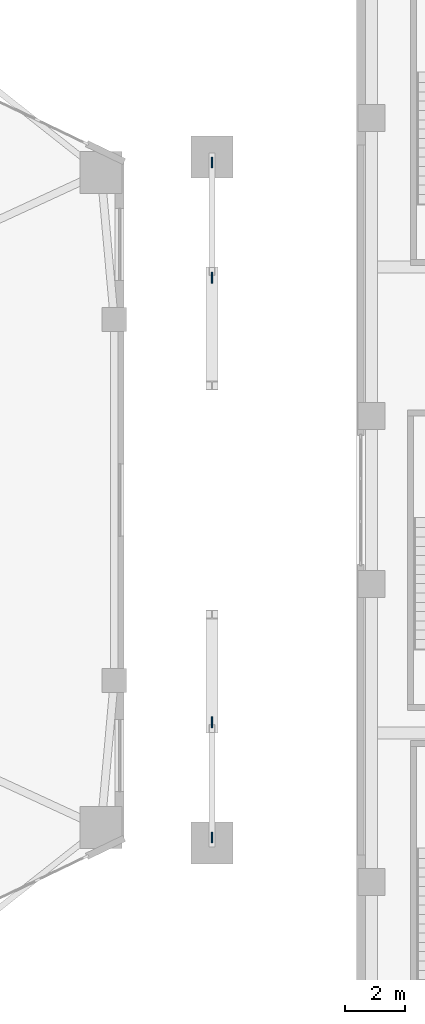
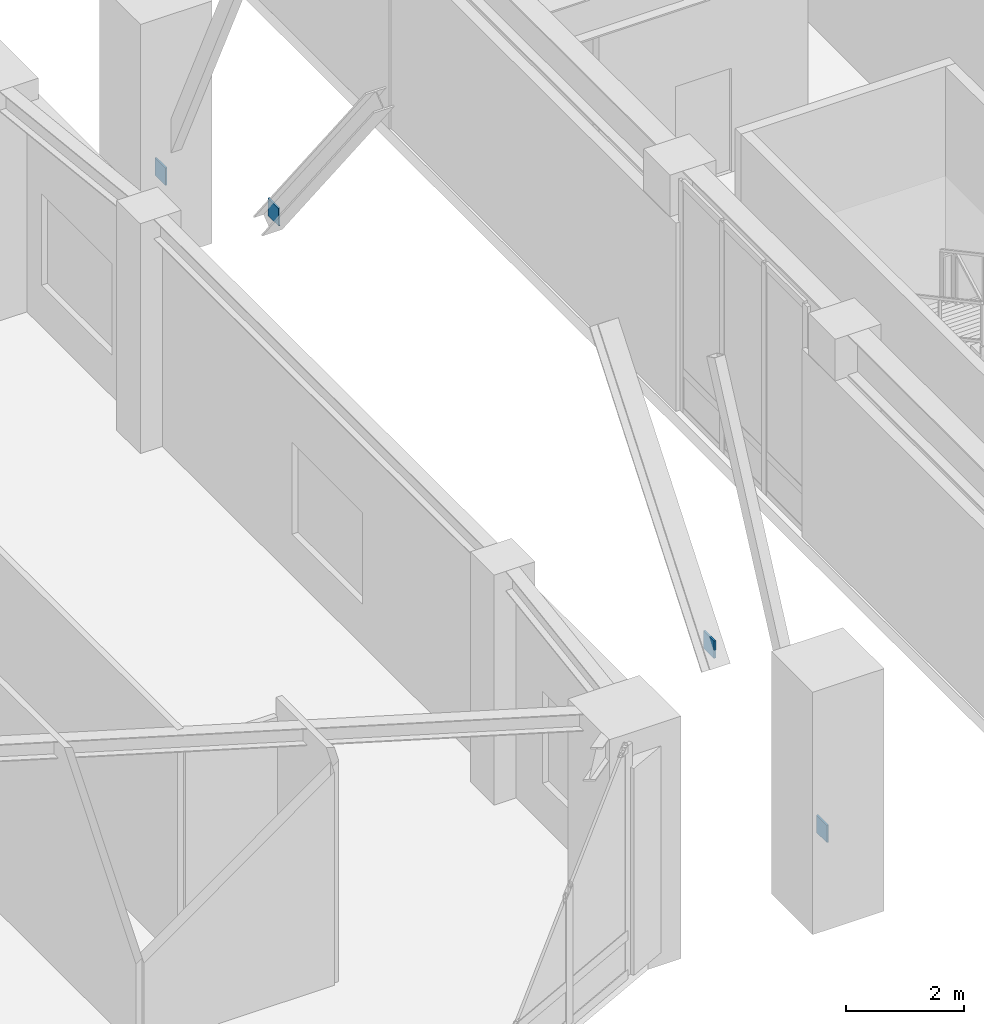
# One storey, part 13 of 24: 4 plates.
"""IFC4 building model written with IfcOpenShell, lengths in metres."""

from ifc_helpers import new_model, si_unit, direction, frame, origin, origin_2d, place, context, subcontext, project, spatial, rectangle, extrude, material, layer, layer_set, type_object, element, save


model = new_model("IFC4")

# Units and contexts
model_context = context("Model", 3, precision=1e-05, world=origin(), true_north=direction((0.0, 1.0)))
body_context = subcontext(model_context, "Body", "Model", "MODEL_VIEW")
ifc_project = project(units=[si_unit("LENGTHUNIT", "METRE"), si_unit("AREAUNIT", "SQUARE_METRE"), si_unit("VOLUMEUNIT", "CUBIC_METRE"), si_unit("PLANEANGLEUNIT", "RADIAN"), si_unit("MASSUNIT", "GRAM", prefix="KILO")], contexts=[model_context])

# Site, building, storey
site_placement = place(None, origin())
site = spatial("IfcSite", under=ifc_project, at=site_placement, CompositionType="ELEMENT")
building_placement = place(site_placement, origin())
building = spatial("IfcBuilding", under=site, at=building_placement, Name="Kolvaren Gate Tower and Convention Centre", CompositionType="ELEMENT")
storey_placement = place(building_placement, frame((0.0, 0.0, 10.0)))
storey = spatial("IfcBuildingStorey", under=building, at=storey_placement, Name="L02", CompositionType="ELEMENT", Elevation=10.0)

# Plates
ifc_material = material(Name="Structural steel plate ASTM A572 Grade 345 MPa", Category="steel")
ifc_layer = layer(ifc_material, 0.035888671875)
ifc_layer_set = layer_set([ifc_layer], Name="Structural steel plate ASTM A572 Grade 345 MPa")
plate_type = type_object("IfcPlateType", Name="STR-PL-END-36", PredefinedType="USERDEFINED", material=ifc_layer_set)
for number, where, z_axis, x_axis, name in (
    (1, (57.39990234375, 15.780517578125, 0.97900390625), (0.0, 0.0, 1.0), (0.0, 1.0, 0.0), "Structural Brace End Connection Gusset Plate EGP-001"),
    (2, (57.39990234375, 19.61279296875, 2.47119140625), (0.0, 0.0, 1.0), (0.0, 1.0, 0.0), "Structural Brace End Connection Gusset Plate EGP-003"),
    (3, (57.39990234375, 34.38720703125, 2.47119140625), (0.0, 0.0, 1.0), (0.0, -1.0, 0.0), "Structural Brace End Connection Gusset Plate EGP-005"),
    (4, (57.39990234375, 38.219482421875, 0.97900390625), (0.0, 0.0, 1.0), (0.0, -1.0, 0.0), "Structural Brace End Connection Gusset Plate EGP-007"),
):
    element("IfcPlate", number, at=place(storey_placement, frame(where, z_axis=z_axis, x_axis=x_axis)), inside=storey, type_object=plate_type, Name=name, ObjectType="GUSSET PLATE", PredefinedType="USERDEFINED", context=body_context, shape_type="SweptSolid", body=[
        extrude(rectangle(XDim=0.360107421875, YDim=0.035888671875, at=origin_2d()), origin(), (0.0, 0.0, 1.0), 0.360107421875),
    ])

save(model, "model.ifc")
